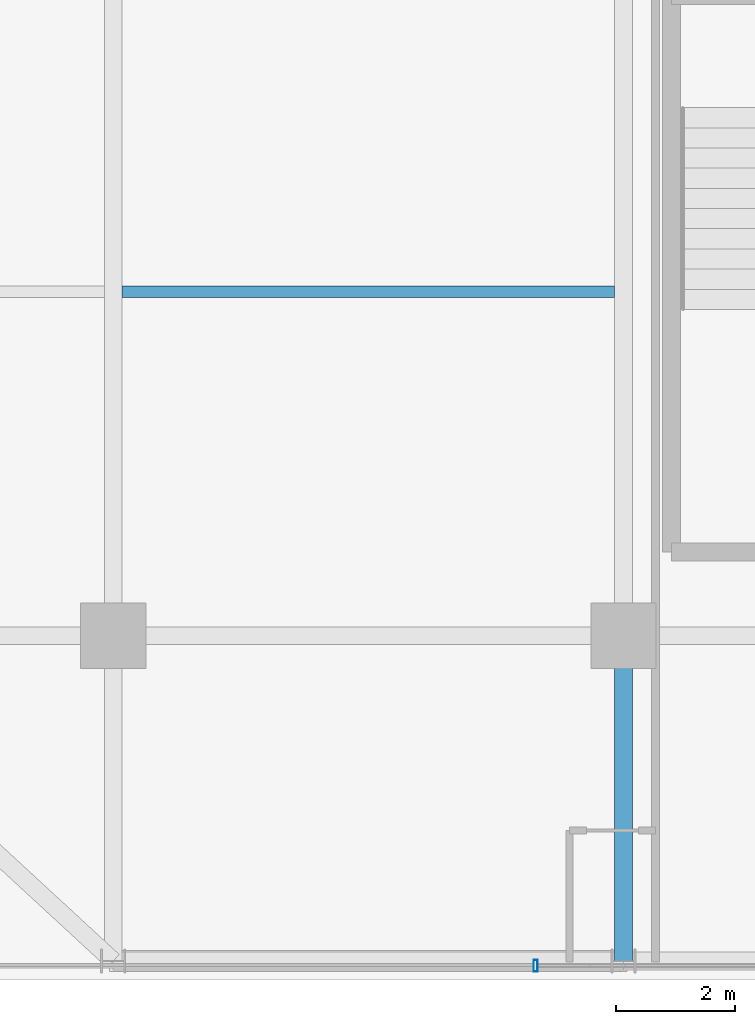
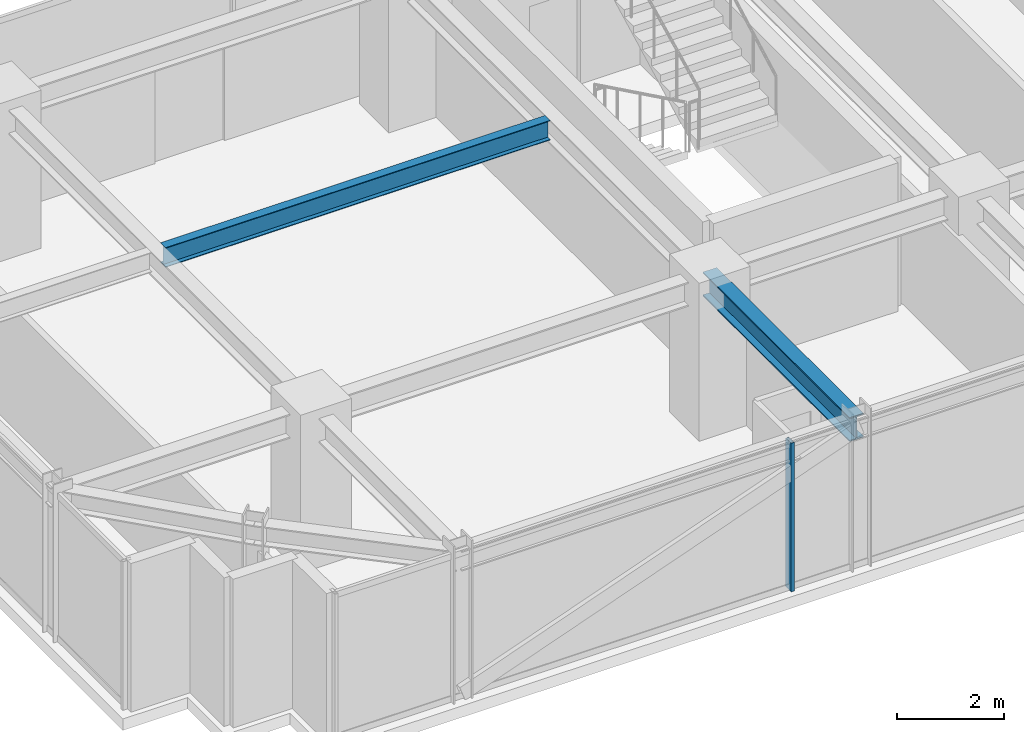
# One storey, part 5 of 37: 2 beams, 1 member, 1 element without a shape of its own.
"""IFC4 building model written with IfcOpenShell, lengths in metres."""

from ifc_helpers import new_model, si_unit, direction, frame, origin, origin_2d, place, context, subcontext, project, spatial, hollow_rectangle, i_section, extrude, source, transform, mapped, material, material_profile, profile_set, type_object, element, aggregate, save


model = new_model("IFC4")

# Units and contexts
model_context = context("Model", 3, precision=1e-05, world=origin(), true_north=direction((0.0, 1.0)))
body_context = subcontext(model_context, "Body", "Model", "MODEL_VIEW")
ifc_project = project(units=[si_unit("LENGTHUNIT", "METRE"), si_unit("AREAUNIT", "SQUARE_METRE"), si_unit("VOLUMEUNIT", "CUBIC_METRE"), si_unit("PLANEANGLEUNIT", "RADIAN"), si_unit("MASSUNIT", "GRAM", prefix="KILO")], contexts=[model_context])

# Site, building, storey
site_placement = place(None, origin())
site = spatial("IfcSite", under=ifc_project, at=site_placement, CompositionType="ELEMENT")
building_placement = place(site_placement, origin())
building = spatial("IfcBuilding", under=site, at=building_placement, Name="Nahalor Promenade Grand Hotel", CompositionType="ELEMENT")
storey_placement = place(building_placement, frame((0.0, 0.0, 167.25)))
storey = spatial("IfcBuildingStorey", under=building, at=storey_placement, Name="L42", CompositionType="ELEMENT", Elevation=167.25)

# Beams
ifc_material_1 = material(Name="Steel S355JR", Category="steel")
ifc_material_profile_1 = material_profile(ifc_material_1, i_section(OverallWidth=0.19, OverallDepth=0.45, WebThickness=0.0094, FlangeThickness=0.0146, at=origin_2d()), Name="IPE 450")
ifc_profile_set_1 = profile_set([ifc_material_profile_1], Name="Steel S355JR")
beam_type_1 = type_object("IfcBeamType", Name="Beam-Joist-IPE450", PredefinedType="JOIST", material=ifc_profile_set_1)
shared_shape_1 = source(origin(), body_context, "Body", "SweptSolid", [
    extrude(i_section(OverallWidth=0.19, OverallDepth=0.45, WebThickness=0.0094, FlangeThickness=0.0146, at=origin_2d()), origin(), (0.0, 0.0, 1.0), 8.300048828125),
])
beam_1_placement = place(storey_placement, frame((-16.85009765625, -11.199951171875, 3.1650390625), z_axis=(1.0, 0.0, 0.0), x_axis=(0.0, 1.0, 0.0)))
element("IfcBeam", 1, at=beam_1_placement, inside=storey, type_object=beam_type_1, Name="BM-L42-JSW-0-1", PredefinedType="JOIST", context=body_context, shape_type="MappedRepresentation", body=[
    mapped(shared_shape_1, transform((0.0, 0.0, 0.0), scale=1.0)),
])
ifc_material_profile_2 = material_profile(ifc_material_1, i_section(OverallWidth=0.3, OverallDepth=0.55, WebThickness=0.015, FlangeThickness=0.029, at=origin_2d()), Name="HEB 550")
ifc_profile_set_2 = profile_set([ifc_material_profile_2], Name="Steel S355JR")
beam_type_2 = type_object("IfcBeamType", Name="Beam-Girder-HEB550", PredefinedType="BEAM", material=ifc_profile_set_2)
shared_shape_2 = source(origin(), body_context, "Body", "SweptSolid", [
    extrude(i_section(OverallWidth=0.3, OverallDepth=0.55, WebThickness=0.015, FlangeThickness=0.029, at=origin_2d()), origin(), (0.0, 0.0, 1.0), 5.47998046875),
])
beam_2_placement = place(storey_placement, frame((-8.39990234375, -22.47998046875, 3.114990234375), z_axis=(0.0, 1.0, 0.0), x_axis=(-1.0, 0.0, 0.0)))
element("IfcBeam", 2, at=beam_2_placement, inside=storey, type_object=beam_type_2, Name="BM-L42-GY-1-0", PredefinedType="BEAM", context=body_context, shape_type="MappedRepresentation", body=[
    mapped(shared_shape_2, transform((0.0, 0.0, 0.0), scale=1.0)),
])

# Curtain wall, member
ifc_material_2 = material(Name="Anodised Bronze Aluminium EN AW-6063 T6", Category="aluminium")
curtain_wall_type = type_object("IfcCurtainWallType", Name="CW3 Elliptical-Void Collar Unitised Curtain Wall", PredefinedType="USERDEFINED", material=ifc_material_2)
curtain_wall_placement = place(storey_placement, origin())
curtain_wall = element("IfcCurtainWall", 3, at=curtain_wall_placement, inside=storey, type_object=curtain_wall_type, Name="L42 Curtain Wall CW-L42-S-1", ObjectType="UNITISED_CURTAIN_WALL", PredefinedType="USERDEFINED")
ifc_material_profile_3 = material_profile(ifc_material_2, hollow_rectangle(XDim=0.07, YDim=0.2, WallThickness=0.005, at=origin_2d()), Name="CWM 70x200x5")
ifc_profile_set_3 = profile_set([ifc_material_profile_3], Name="Anodised Bronze Aluminium EN AW-6063 T6")
member_type = type_object("IfcMemberType", Name="CWM3 Void Collar Mullion 70x200", PredefinedType="MULLION", material=ifc_profile_set_3)
shared_shape_3 = source(origin(), body_context, "Body", "SweptSolid", [
    extrude(hollow_rectangle(XDim=0.07, YDim=0.2, WallThickness=0.005, at=origin_2d()), origin(), (0.0, 0.0, 1.0), 3.389892578125),
])
member_placement = place(storey_placement, frame((-9.8798828125, -22.56005859375, 0.0), z_axis=(0.0, 0.0, 1.0), x_axis=(1.0, 0.0, 0.0)))
member = element("IfcMember", 4, at=member_placement, type_object=member_type, Name="CW-L42-S-1 Mullion 1", PredefinedType="MULLION", context=body_context, shape_type="MappedRepresentation", body=[
    mapped(shared_shape_3, transform((0.0, 0.0, 0.0), scale=1.0)),
])
aggregate(curtain_wall, [member])

save(model, "model.ifc")
